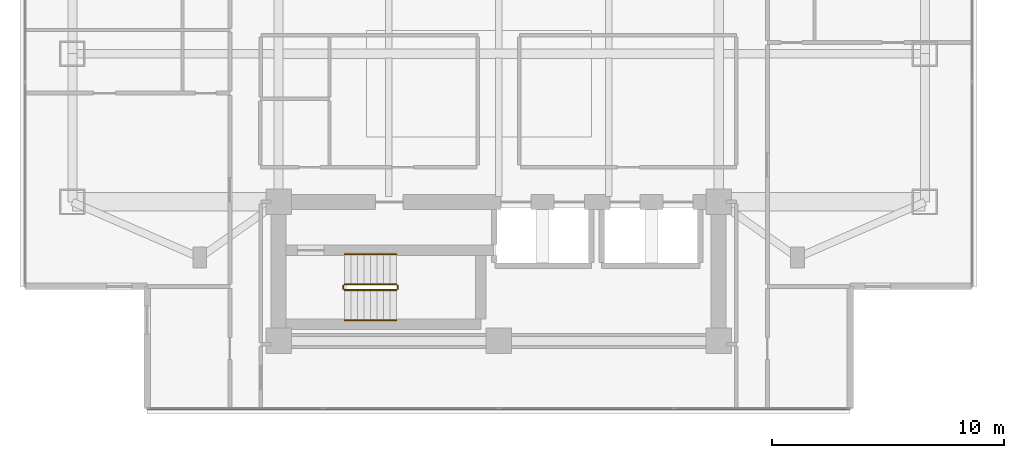
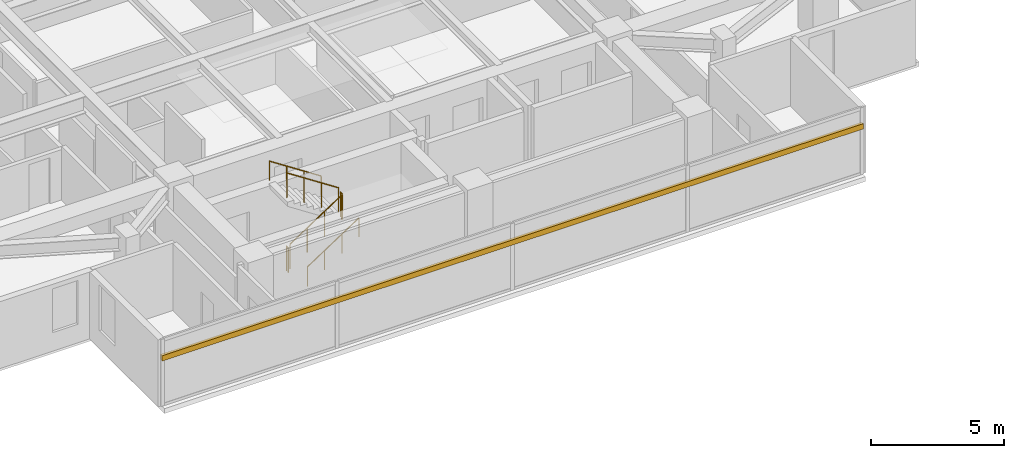
# One storey, part 21 of 27: 6 railings, 1 shading device.
"""IFC4 building model written with IfcOpenShell, lengths in metres."""

from ifc_helpers import new_model, si_unit, direction, frame, origin, origin_2d, place, context, subcontext, project, spatial, rectangle, circle, extrude, material, material_profile, profile_set, type_object, element, save


model = new_model("IFC4")

# Units and contexts
model_context = context("Model", 3, precision=1e-05, world=origin(), true_north=direction((0.0, 1.0)))
body_context = subcontext(model_context, "Body", "Model", "MODEL_VIEW")
ifc_project = project(units=[si_unit("LENGTHUNIT", "METRE"), si_unit("AREAUNIT", "SQUARE_METRE"), si_unit("VOLUMEUNIT", "CUBIC_METRE"), si_unit("PLANEANGLEUNIT", "RADIAN"), si_unit("MASSUNIT", "GRAM", prefix="KILO")], contexts=[model_context])

# Site, building, storey
site_placement = place(None, origin())
site = spatial("IfcSite", under=ifc_project, at=site_placement, CompositionType="ELEMENT")
building_placement = place(site_placement, origin())
building = spatial("IfcBuilding", under=site, at=building_placement, Name="Mirazonda Arch Towers", CompositionType="ELEMENT")
storey_placement = place(building_placement, frame((0.0, 0.0, 124.699951171875)))
storey = spatial("IfcBuildingStorey", under=building, at=storey_placement, Name="L35", CompositionType="ELEMENT", Elevation=124.699951171875)

# Shading device
ifc_material_1 = material(Name="Kiln-Fired Architectural Terracotta", Category="masonry")
ifc_material_profile = material_profile(ifc_material_1, rectangle(XDim=0.1201171875, YDim=0.239990234375, at=origin_2d()), Name="TERRA-BAG-120x240")
ifc_profile_set = profile_set([ifc_material_profile], Name="Kiln-Fired Architectural Terracotta")
shading_device_type = type_object("IfcShadingDeviceType", Name="BAGUETTE-1", PredefinedType="USERDEFINED", material=ifc_profile_set)
shading_device_placement = place(storey_placement, frame((35.669921875, 9.48388671875, 2.203369140625), z_axis=(-1.0, 0.0, 0.0), x_axis=(0.0, -1.0, 0.0)))
element("IfcShadingDevice", 1, at=shading_device_placement, inside=storey, type_object=shading_device_type, Name="L35 Glazed Terracotta Sun-Screen Baguette CW-L35-T1-S", ObjectType="BAGUETTE", PredefinedType="USERDEFINED", context=body_context, shape_type="SweptSolid", body=[
    extrude(rectangle(XDim=0.1201171875, YDim=0.239990234375, at=origin_2d()), origin(), (0.0, 0.0, 1.0), 30.33984375),
])

# Railings
ifc_material_2 = material(Name="Architectural Brushed Steel S355", Category="steel")
railing_type_1 = type_object("IfcRailingType", Name="GUARD-STAIR-1120", PredefinedType="GUARDRAIL", material=ifc_material_2)
railing_1_placement = place(storey_placement, frame((13.85009765625, 14.60009765625, 0.183349609375)))
element("IfcRailing", 2, at=railing_1_placement, inside=storey, type_object=railing_type_1, Name="L35 ST-T1S stair guard 1", PredefinedType="GUARDRAIL", context=body_context, shape_type="SweptSolid", body=[
    extrude(circle(Radius=0.02392578125, at=origin_2d()), frame((0.0, 0.0, 1.1259765625), z_axis=(0.836595146698, 0.0, 0.547821650285), x_axis=(0.0, 1.0, 0.0)), (0.0, 0.0, 1.0), 2.677490234375),
    extrude(circle(Radius=0.02099609375, at=origin_2d()), origin(), (0.0, 0.0, 1.0), 1.101806640625),
    extrude(circle(Radius=0.02099609375, at=origin_2d()), frame((0.74658203125, 0.0, 0.489013671875)), (0.0, 0.0, 1.0), 1.101806640625),
    extrude(circle(Radius=0.02099609375, at=origin_2d()), frame((1.493408203125, 0.0, 0.977783203125)), (0.0, 0.0, 1.0), 1.101806640625),
    extrude(circle(Radius=0.02099609375, at=origin_2d()), frame((2.239990234375, 0.0, 1.466796875)), (0.0, 0.0, 1.0), 1.101806640625),
])
railing_2_placement = place(storey_placement, frame((16.139892578125, 14.64990234375, 1.650146484375)))
element("IfcRailing", 3, at=railing_2_placement, inside=storey, type_object=railing_type_1, Name="L35 ST-T1S stair guard 2", PredefinedType="GUARDRAIL", context=body_context, shape_type="SweptSolid", body=[
    extrude(circle(Radius=0.02392578125, at=origin_2d()), frame((0.0, 0.0, 1.1259765625), z_axis=(0.0, 1.0, 0.0), x_axis=(-1.0, 0.0, 0.0)), (0.0, 0.0, 1.0), 0.14013671875),
    extrude(circle(Radius=0.02099609375, at=origin_2d()), origin(), (0.0, 0.0, 1.0), 1.101806640625),
    extrude(circle(Radius=0.02099609375, at=origin_2d()), frame((0.0, 0.14013671875, 0.0)), (0.0, 0.0, 1.0), 1.101806640625),
])
railing_3_placement = place(storey_placement, frame((16.090087890625, 14.840087890625, 1.83349609375)))
element("IfcRailing", 4, at=railing_3_placement, inside=storey, type_object=railing_type_1, Name="L35 ST-T1S stair guard 3", PredefinedType="GUARDRAIL", context=body_context, shape_type="SweptSolid", body=[
    extrude(circle(Radius=0.02392578125, at=origin_2d()), frame((0.0, 0.0, 1.1259765625), z_axis=(-0.836636935527, 0.0, 0.547757827979), x_axis=(0.0, -1.0, 0.0)), (0.0, 0.0, 1.0), 2.677490234375),
    extrude(circle(Radius=0.02099609375, at=origin_2d()), origin(), (0.0, 0.0, 1.0), 1.101806640625),
    extrude(circle(Radius=0.02099609375, at=origin_2d()), frame((-0.74658203125, 0.0, 0.48876953125)), (0.0, 0.0, 1.0), 1.101806640625),
    extrude(circle(Radius=0.02099609375, at=origin_2d()), frame((-1.493408203125, 0.0, 0.977783203125)), (0.0, 0.0, 1.0), 1.101806640625),
    extrude(circle(Radius=0.02099609375, at=origin_2d()), frame((-2.239990234375, 0.0, 1.466552734375)), (0.0, 0.0, 1.0), 1.101806640625),
])
railing_4_placement = place(storey_placement, frame((13.800048828125, 14.64990234375, 0.0)))
element("IfcRailing", 5, at=railing_4_placement, inside=storey, type_object=railing_type_1, Name="L35 ST-T1S stair guard 4", PredefinedType="GUARDRAIL", context=body_context, shape_type="SweptSolid", body=[
    extrude(circle(Radius=0.02392578125, at=origin_2d()), frame((0.0, 0.0, 1.1259765625), z_axis=(0.0, 1.0, 0.0), x_axis=(-1.0, 0.0, 0.0)), (0.0, 0.0, 1.0), 0.14013671875),
    extrude(circle(Radius=0.02099609375, at=origin_2d()), origin(), (0.0, 0.0, 1.0), 1.101806640625),
    extrude(circle(Radius=0.02099609375, at=origin_2d()), frame((0.0, 0.14013671875, 0.0)), (0.0, 0.0, 1.0), 1.101806640625),
])
railing_type_2 = type_object("IfcRailingType", Name="HANDRAIL-915", PredefinedType="HANDRAIL", material=ifc_material_2)
railing_5_placement = place(storey_placement, frame((13.85009765625, 13.300048828125, 0.183349609375)))
element("IfcRailing", 6, at=railing_5_placement, inside=storey, type_object=railing_type_2, Name="L35 ST-T1S stair handrail 1", PredefinedType="HANDRAIL", context=body_context, shape_type="SweptSolid", body=[
    extrude(circle(Radius=0.02392578125, at=origin_2d()), frame((0.0, 0.0, 0.8759765625), z_axis=(0.836595146698, 0.0, 0.547821650285), x_axis=(0.0, 1.0, 0.0)), (0.0, 0.0, 1.0), 2.677490234375),
    extrude(circle(Radius=0.02099609375, at=origin_2d()), origin(), (0.0, 0.0, 1.0), 0.851806640625),
    extrude(circle(Radius=0.02099609375, at=origin_2d()), frame((0.74658203125, 0.0, 0.489013671875)), (0.0, 0.0, 1.0), 0.851806640625),
    extrude(circle(Radius=0.02099609375, at=origin_2d()), frame((1.493408203125, 0.0, 0.977783203125)), (0.0, 0.0, 1.0), 0.851806640625),
    extrude(circle(Radius=0.02099609375, at=origin_2d()), frame((2.239990234375, 0.0, 1.466796875)), (0.0, 0.0, 1.0), 0.851806640625),
])
railing_6_placement = place(storey_placement, frame((16.090087890625, 16.139892578125, 1.83349609375)))
element("IfcRailing", 7, at=railing_6_placement, inside=storey, type_object=railing_type_2, Name="L35 ST-T1S stair handrail 2", PredefinedType="HANDRAIL", context=body_context, shape_type="SweptSolid", body=[
    extrude(circle(Radius=0.02392578125, at=origin_2d()), frame((0.0, 0.0, 0.8759765625), z_axis=(-0.836636935527, 0.0, 0.547757827979), x_axis=(0.0, -1.0, 0.0)), (0.0, 0.0, 1.0), 2.677490234375),
    extrude(circle(Radius=0.02099609375, at=origin_2d()), origin(), (0.0, 0.0, 1.0), 0.851806640625),
    extrude(circle(Radius=0.02099609375, at=origin_2d()), frame((-0.74658203125, 0.0, 0.48876953125)), (0.0, 0.0, 1.0), 0.851806640625),
    extrude(circle(Radius=0.02099609375, at=origin_2d()), frame((-1.493408203125, 0.0, 0.977783203125)), (0.0, 0.0, 1.0), 0.851806640625),
    extrude(circle(Radius=0.02099609375, at=origin_2d()), frame((-2.239990234375, 0.0, 1.466552734375)), (0.0, 0.0, 1.0), 0.851806640625),
])

save(model, "model.ifc")
